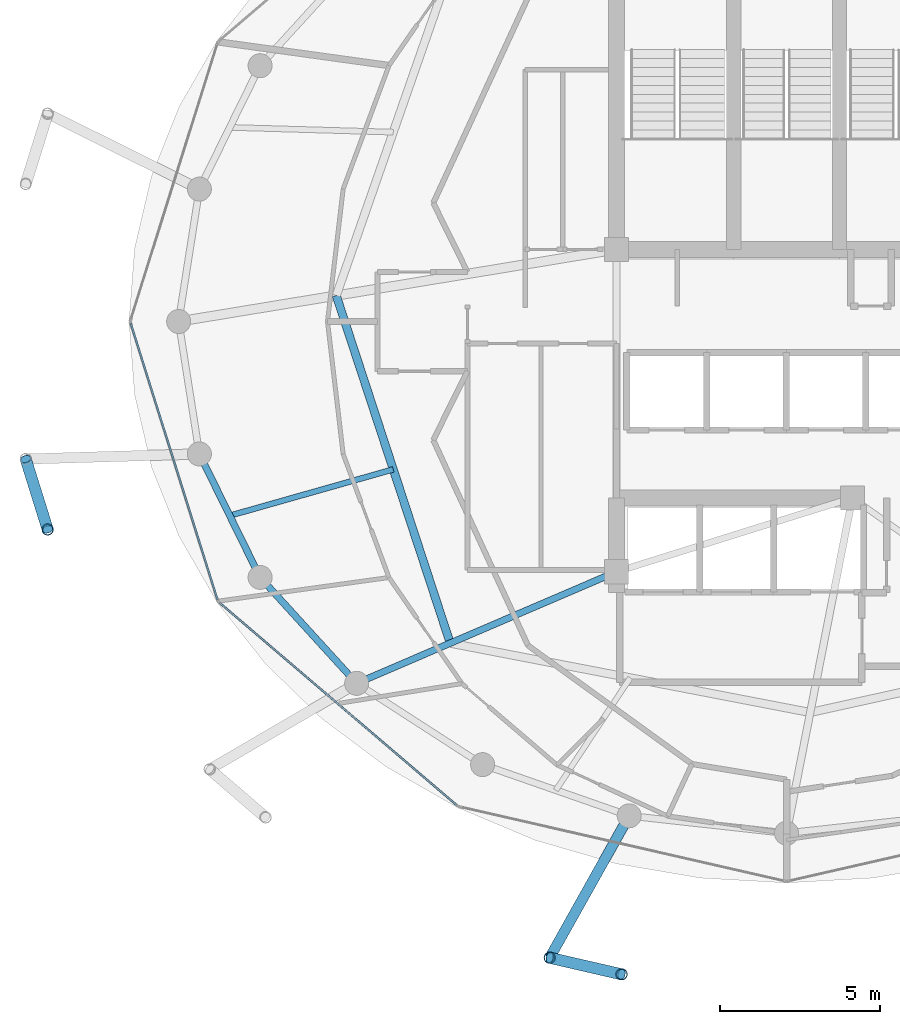
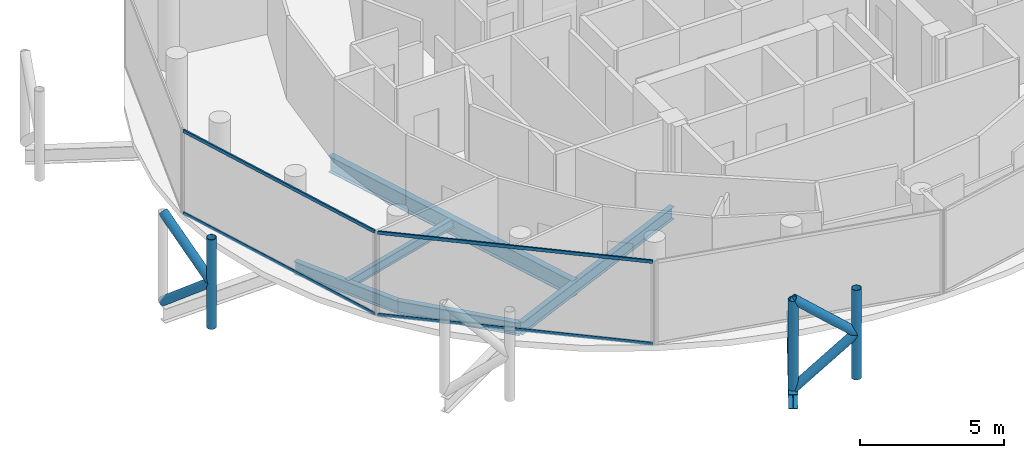
# One storey, part 3 of 24: 11 members, 6 beams, 2 elements without a shape of their own.
"""IFC4 building model written with IfcOpenShell, lengths in metres."""

from ifc_helpers import new_model, si_unit, direction, frame, origin, origin_2d, place, context, subcontext, project, spatial, hollow_rectangle, hollow_circle, i_section, extrude, material, layer, layer_set, material_profile, profile_set, type_object, element, aggregate, save


model = new_model("IFC4")

# Units and contexts
model_context = context("Model", 3, precision=1e-05, world=origin(), true_north=direction((0.0, 1.0)))
body_context = subcontext(model_context, "Body", "Model", "MODEL_VIEW")
ifc_project = project(units=[si_unit("LENGTHUNIT", "METRE"), si_unit("AREAUNIT", "SQUARE_METRE"), si_unit("VOLUMEUNIT", "CUBIC_METRE"), si_unit("PLANEANGLEUNIT", "RADIAN"), si_unit("MASSUNIT", "GRAM", prefix="KILO")], contexts=[model_context])

# Site, building, storey
site_placement = place(None, origin())
site = spatial("IfcSite", under=ifc_project, at=site_placement, CompositionType="ELEMENT")
building_placement = place(site_placement, origin())
building = spatial("IfcBuilding", under=site, at=building_placement, Name="Nuhasar Tower", CompositionType="ELEMENT")
storey_placement = place(building_placement, frame((0.0, 0.0, 274.60009765625)))
storey = spatial("IfcBuildingStorey", under=building, at=storey_placement, Name="L68", CompositionType="ELEMENT", Elevation=274.60009765625)

# Beams
ifc_material_1 = material(Name="Steel S355", Category="steel")
ifc_material_profile_1 = material_profile(ifc_material_1, i_section(OverallWidth=0.25390625, OverallDepth=0.68408203125, WebThickness=0.012451171875, FlangeThickness=0.018798828125, at=origin_2d()), Name="W27X94")
ifc_profile_set_1 = profile_set([ifc_material_profile_1], Name="Steel S355")
beam_type_1 = type_object("IfcBeamType", Name="BM-INRING-W27X94", PredefinedType="BEAM", material=ifc_profile_set_1)
beam_1_placement = place(storey_placement, frame((24.964111328125, 27.610107421875, -0.60205078125), z_axis=(0.311483801376, -0.950251462235, 0.0), x_axis=(0.950251462235, 0.311483801376, 0.0)))
element("IfcBeam", 1, at=beam_1_placement, inside=storey, type_object=beam_type_1, Name="L68 Inner Header Beam 08", PredefinedType="BEAM", context=body_context, shape_type="SweptSolid", body=[
    extrude(i_section(OverallWidth=0.25390625, OverallDepth=0.68408203125, WebThickness=0.012451171875, FlangeThickness=0.018798828125, at=origin_2d()), origin(), (0.0, 0.0, 1.0), 11.403564453125),
])
ifc_material_profile_2 = material_profile(ifc_material_1, i_section(OverallWidth=0.177978515625, OverallDepth=0.406005859375, WebThickness=0.0078125, FlangeThickness=0.0126953125, at=origin_2d()), Name="W16X40")
ifc_profile_set_2 = profile_set([ifc_material_profile_2], Name="Steel S355")
beam_type_2 = type_object("IfcBeamType", Name="BM-JST-W16X40", PredefinedType="JOIST", material=ifc_profile_set_2)
beam_2_placement = place(storey_placement, frame((26.739990234375, 22.19189453125, -0.463134765625), z_axis=(-0.962154316042, -0.272505178156, 0.0), x_axis=(0.272505178156, -0.962154316042, 0.0)))
element("IfcBeam", 2, at=beam_2_placement, inside=storey, type_object=beam_type_2, Name="L68 Secondary Floor Joist 08", PredefinedType="JOIST", context=body_context, shape_type="SweptSolid", body=[
    extrude(i_section(OverallWidth=0.177978515625, OverallDepth=0.406005859375, WebThickness=0.0078125, FlangeThickness=0.0126953125, at=origin_2d()), origin(), (0.0, 0.0, 1.0), 5.29833984375),
])
ifc_material_profile_3 = material_profile(ifc_material_1, i_section(OverallWidth=0.208984375, OverallDepth=0.528076171875, WebThickness=0.009521484375, FlangeThickness=0.01318359375, at=origin_2d()), Name="W21X55")
ifc_profile_set_3 = profile_set([ifc_material_profile_3], Name="Steel S355")
beam_type_3 = type_object("IfcBeamType", Name="BM-RAD-W21X55", PredefinedType="BEAM", material=ifc_profile_set_3)
beam_3_placement = place(storey_placement, frame((33.699951171875, 19.0, -0.524169921875), z_axis=(-0.91887119061, -0.394557644797, 0.0), x_axis=(0.394557644797, -0.91887119061, 0.0)))
element("IfcBeam", 3, at=beam_3_placement, inside=storey, type_object=beam_type_3, Name="L68 Radial Floor Girder 01", PredefinedType="BEAM", context=body_context, shape_type="SweptSolid", body=[
    extrude(i_section(OverallWidth=0.208984375, OverallDepth=0.528076171875, WebThickness=0.009521484375, FlangeThickness=0.01318359375, at=origin_2d()), origin(), (0.0, 0.0, 1.0), 8.81494140625),
])
ifc_material_profile_4 = material_profile(ifc_material_1, i_section(OverallWidth=0.2099609375, OverallDepth=0.537109375, WebThickness=0.010986328125, FlangeThickness=0.017333984375, at=origin_2d()), Name="W21X68")
ifc_profile_set_4 = profile_set([ifc_material_profile_4], Name="Steel S355")
beam_type_4 = type_object("IfcBeamType", Name="BM-RING-W21X68", PredefinedType="SPANDREL", material=ifc_profile_set_4)
beam_4_placement = place(storey_placement, frame((20.696044921875, 22.672119140625, -0.529052734375), z_axis=(0.441510561726, -0.897256052576, 0.0), x_axis=(0.897256052576, 0.441510561726, 0.0)))
element("IfcBeam", 4, at=beam_4_placement, inside=storey, type_object=beam_type_4, Name="L68 Perimeter Ring Spandrel 14", PredefinedType="SPANDREL", context=body_context, shape_type="SweptSolid", body=[
    extrude(i_section(OverallWidth=0.2099609375, OverallDepth=0.537109375, WebThickness=0.010986328125, FlangeThickness=0.017333984375, at=origin_2d()), origin(), (0.0, 0.0, 1.0), 4.28759765625),
])
beam_5_placement = place(storey_placement, frame((22.589111328125, 18.824951171875, -0.529052734375), z_axis=(0.673686302939, -0.739017432293, 0.0), x_axis=(0.739017432293, 0.673686302939, 0.0)))
element("IfcBeam", 5, at=beam_5_placement, inside=storey, type_object=beam_type_4, Name="L68 Perimeter Ring Spandrel 15", PredefinedType="SPANDREL", context=body_context, shape_type="SweptSolid", body=[
    extrude(i_section(OverallWidth=0.2099609375, OverallDepth=0.537109375, WebThickness=0.010986328125, FlangeThickness=0.017333984375, at=origin_2d()), origin(), (0.0, 0.0, 1.0), 4.469482421875),
])
ifc_material_profile_5 = material_profile(ifc_material_1, i_section(OverallWidth=0.323974609375, OverallDepth=0.611083984375, WebThickness=0.0126953125, FlangeThickness=0.01904296875, at=origin_2d()), Name="W24X104")
ifc_profile_set_5 = profile_set([ifc_material_profile_5], Name="Steel S355")
beam_type_5 = type_object("IfcBeamType", Name="BM-TIE-W24X104", PredefinedType="BEAM", material=ifc_profile_set_5)
beam_6_placement = place(storey_placement, frame((34.094970703125, 11.39306640625, -0.566162109375), z_axis=(-0.488667847762, -0.872469904675, 0.0), x_axis=(0.872469904675, -0.488667847762, 0.0)))
element("IfcBeam", 6, at=beam_6_placement, inside=storey, type_object=beam_type_5, Name="L68 Exoskeleton Node Tie Beam 09", PredefinedType="BEAM", context=body_context, shape_type="SweptSolid", body=[
    extrude(i_section(OverallWidth=0.323974609375, OverallDepth=0.611083984375, WebThickness=0.0126953125, FlangeThickness=0.01904296875, at=origin_2d()), origin(), (0.0, 0.0, 1.0), 5.072998046875),
])

# Curtain wall, members
ifc_material_2 = material(Name="Aluminium 6063-T6", Category="aluminium")
ifc_layer = layer(ifc_material_2, 0.18994140625)
ifc_layer_set = layer_set([ifc_layer], Name="Aluminium 6063-T6")
curtain_wall_type = type_object("IfcCurtainWallType", Name="CW-Z4-PEN", PredefinedType="NOTDEFINED", material=ifc_layer_set)
curtain_wall_1_placement = place(storey_placement, origin())
curtain_wall_1 = element("IfcCurtainWall", 7, at=curtain_wall_1_placement, inside=storey, type_object=curtain_wall_type, Name="L68 Unitised Curtain Wall 07", PredefinedType="NOTDEFINED")
ifc_material_profile_6 = material_profile(ifc_material_2, hollow_rectangle(XDim=0.06005859375, YDim=0.135009765625, WallThickness=0.00439453125, at=origin_2d()), Name="CWT-5")
ifc_profile_set_6 = profile_set([ifc_material_profile_6], Name="Aluminium 6063-T6")
member_type_1 = type_object("IfcMemberType", Name="CW-TRN-S5", PredefinedType="USERDEFINED", material=ifc_profile_set_6)
member_1_placement = place(storey_placement, frame((18.557861328125, 26.74267578125, 0.02978515625), z_axis=(0.29956014073, -0.954077419335, 0.0), x_axis=(0.954077419335, 0.29956014073, 0.0)))
member_1 = element("IfcMember", 8, at=member_1_placement, type_object=member_type_1, Name="CW-Z4 transom 1.1", ObjectType="TRANSOM", PredefinedType="USERDEFINED", context=body_context, shape_type="SweptSolid", body=[
    extrude(hollow_rectangle(XDim=0.06005859375, YDim=0.135009765625, WallThickness=0.00439453125, at=origin_2d()), origin(), (0.0, 0.0, 1.0), 9.0302734375),
])
member_2_placement = place(storey_placement, frame((18.557861328125, 26.74267578125, 3.510009765625), z_axis=(0.29956014073, -0.954077419335, 0.0), x_axis=(0.954077419335, 0.29956014073, 0.0)))
member_2 = element("IfcMember", 9, at=member_2_placement, type_object=member_type_1, Name="CW-Z4 transom 1.2", ObjectType="TRANSOM", PredefinedType="USERDEFINED", context=body_context, shape_type="SweptSolid", body=[
    extrude(hollow_rectangle(XDim=0.06005859375, YDim=0.135009765625, WallThickness=0.00439453125, at=origin_2d()), origin(), (0.0, 0.0, 1.0), 9.0302734375),
])
aggregate(curtain_wall_1, [member_1, member_2])

curtain_wall_2_placement = place(storey_placement, origin())
curtain_wall_2 = element("IfcCurtainWall", 10, at=curtain_wall_2_placement, inside=storey, type_object=curtain_wall_type, Name="L68 Unitised Curtain Wall 08", PredefinedType="NOTDEFINED")
member_3_placement = place(storey_placement, frame((21.32666015625, 18.031005859375, 0.02978515625), z_axis=(0.760672431431, -0.649135927261, 0.0), x_axis=(0.649135927261, 0.760672431431, 0.0)))
member_3 = element("IfcMember", 11, at=member_3_placement, type_object=member_type_1, Name="CW-Z4 transom 1.1", ObjectType="TRANSOM", PredefinedType="USERDEFINED", context=body_context, shape_type="SweptSolid", body=[
    extrude(hollow_rectangle(XDim=0.06005859375, YDim=0.135009765625, WallThickness=0.00439453125, at=origin_2d()), origin(), (0.0, 0.0, 1.0), 9.72509765625),
])
member_4_placement = place(storey_placement, frame((21.32666015625, 18.031005859375, 3.510009765625), z_axis=(0.760672431431, -0.649135927261, 0.0), x_axis=(0.649135927261, 0.760672431431, 0.0)))
member_4 = element("IfcMember", 12, at=member_4_placement, type_object=member_type_1, Name="CW-Z4 transom 1.2", ObjectType="TRANSOM", PredefinedType="USERDEFINED", context=body_context, shape_type="SweptSolid", body=[
    extrude(hollow_rectangle(XDim=0.06005859375, YDim=0.135009765625, WallThickness=0.00439453125, at=origin_2d()), origin(), (0.0, 0.0, 1.0), 9.72509765625),
])
aggregate(curtain_wall_2, [member_3, member_4])

# Members
ifc_material_3 = material(Name="Steel S460", Category="steel")
ifc_material_profile_7 = material_profile(ifc_material_3, hollow_circle(Radius=0.177734375, WallThickness=0.015869140625, at=origin_2d()), Name="HSS355.6X15.9")
ifc_profile_set_7 = profile_set([ifc_material_profile_7], Name="Steel S460")
member_type_2 = type_object("IfcMemberType", Name="EXO-BRONZE-356", PredefinedType="BRACE", material=ifc_profile_set_7)
for number, where, z_axis, x_axis, name in (
    (13, (15.967041015625, 20.319091796875, 0.0), (0.0, 0.0, 1.0), (1.0, 0.0, 0.0), "L68 Exoskeleton Chord Column EC-07B"),
    (14, (31.615966796875, 6.967041015625, 0.0), (0.0, 0.0, 1.0), (1.0, 0.0, 0.0), "L68 Exoskeleton Chord Column EC-09A"),
    (15, (33.85693359375, 6.450927734375, 0.0), (0.0, 0.0, 1.0), (1.0, 0.0, 0.0), "L68 Exoskeleton Chord Column EC-09B"),
):
    element("IfcMember", number, at=place(storey_placement, frame(where, z_axis=z_axis, x_axis=x_axis)), inside=storey, type_object=member_type_2, Name=name, PredefinedType="BRACE", context=body_context, shape_type="SweptSolid", body=[
        extrude(hollow_circle(Radius=0.177734375, WallThickness=0.015869140625, at=origin_2d()), origin(), (0.0, 0.0, 1.0), 3.7998046875),
    ])
for number, where, z_axis, x_axis, name in (
    (16, (15.281982421875, 22.513916015625, 0.0), (0.229681361446, -0.735864376122, 0.636985158507), (0.954581948223, 0.297948492404, 0.0), "L68 Bronze Diagrid Brace W1-07"),
    (17, (15.967041015625, 20.319091796875, 1.89990234375), (-0.229681361446, 0.735864376122, 0.636985158507), (-0.954581948223, -0.297948492404, 0.0), "L68 Bronze Diagrid Brace W2-07"),
):
    element("IfcMember", number, at=place(storey_placement, frame(where, z_axis=z_axis, x_axis=x_axis)), inside=storey, type_object=member_type_2, Name=name, PredefinedType="BRACE", context=body_context, shape_type="SweptSolid", body=[
        extrude(hollow_circle(Radius=0.177734375, WallThickness=0.015869140625, at=origin_2d()), origin(), (0.0, 0.0, 1.0), 2.982666015625),
    ])
for number, where, z_axis, x_axis, name in (
    (18, (31.615966796875, 6.967041015625, 0.0), (0.751260978137, -0.173021648086, 0.636922642103), (0.224433035437, 0.97448951385, 0.0), "L68 Bronze Diagrid Brace W1-09"),
    (19, (33.85693359375, 6.450927734375, 1.89990234375), (-0.751260978137, 0.173021648086, 0.636922642103), (-0.224433035437, -0.97448951385, 0.0), "L68 Bronze Diagrid Brace W2-09"),
):
    element("IfcMember", number, at=place(storey_placement, frame(where, z_axis=z_axis, x_axis=x_axis)), inside=storey, type_object=member_type_2, Name=name, PredefinedType="BRACE", context=body_context, shape_type="SweptSolid", body=[
        extrude(hollow_circle(Radius=0.177734375, WallThickness=0.015869140625, at=origin_2d()), origin(), (0.0, 0.0, 1.0), 2.98291015625),
    ])

save(model, "model.ifc")
